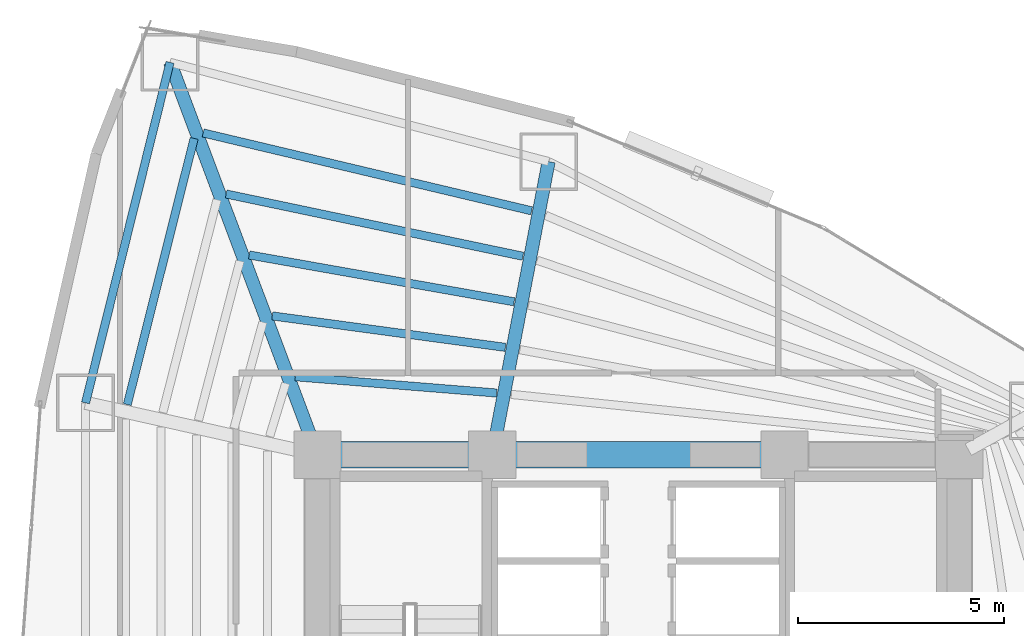
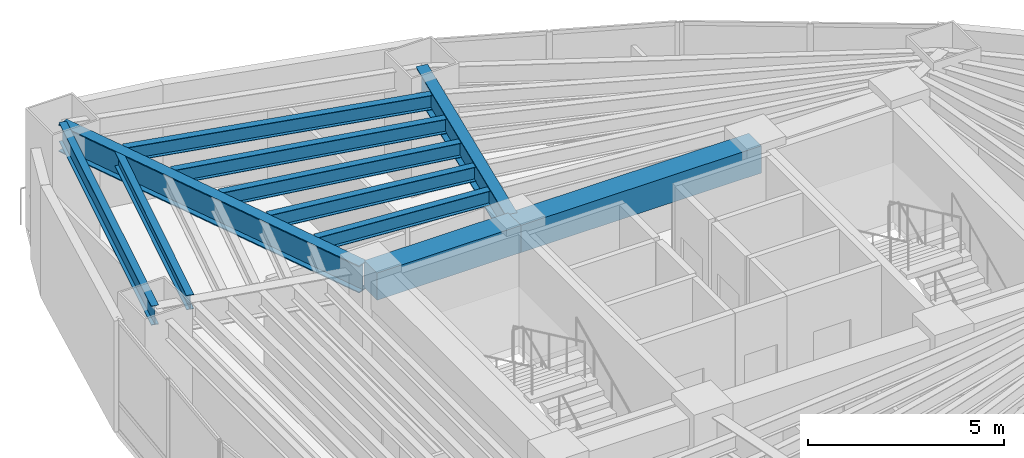
# One storey, part 8 of 17: 11 beams.
"""IFC4 building model written with IfcOpenShell, lengths in metres."""

from ifc_helpers import new_model, si_unit, direction, frame, origin, origin_2d, place, context, subcontext, project, spatial, rectangle, i_section, extrude, material, material_profile, profile_set, type_object, element, save


model = new_model("IFC4")

# Units and contexts
model_context = context("Model", 3, precision=1e-05, world=origin(), true_north=direction((0.0, 1.0)))
body_context = subcontext(model_context, "Body", "Model", "MODEL_VIEW")
ifc_project = project(units=[si_unit("LENGTHUNIT", "METRE"), si_unit("AREAUNIT", "SQUARE_METRE"), si_unit("VOLUMEUNIT", "CUBIC_METRE"), si_unit("PLANEANGLEUNIT", "RADIAN"), si_unit("MASSUNIT", "GRAM", prefix="KILO")], contexts=[model_context])

# Site, building, storey
site_placement = place(None, origin())
site = spatial("IfcSite", under=ifc_project, at=site_placement, CompositionType="ELEMENT")
building_placement = place(site_placement, origin())
building = spatial("IfcBuilding", under=site, at=building_placement, Name="Menara Vayukalpa", CompositionType="ELEMENT")
storey_placement = place(building_placement, frame((0.0, 0.0, 49.919921875)))
storey = spatial("IfcBuildingStorey", under=building, at=storey_placement, Name="L11", CompositionType="ELEMENT", Elevation=49.919921875)

# Beams
ifc_material_1 = material(Name="Concrete C60/75", Category="concrete")
ifc_material_profile_1 = material_profile(ifc_material_1, rectangle(XDim=0.64990234375, YDim=0.85009765625, at=origin_2d()), Name="RC 650x850")
ifc_profile_set_1 = profile_set([ifc_material_profile_1], Name="Concrete C60/75")
beam_type_1 = type_object("IfcBeamType", Name="BM-CB1", PredefinedType="BEAM", material=ifc_profile_set_1)
beam_1_placement = place(storey_placement, frame((17.800048828125, 26.800048828125, 3.045166015625), z_axis=(1.0, 0.0, 0.0), x_axis=(0.0, 1.0, 0.0)))
element("IfcBeam", 1, at=beam_1_placement, inside=storey, type_object=beam_type_1, Name="L11 Core Tie Beam CBR4", PredefinedType="BEAM", context=body_context, shape_type="SweptSolid", body=[
    extrude(rectangle(XDim=0.64990234375, YDim=0.85009765625, at=origin_2d()), origin(), (0.0, 0.0, 1.0), 4.25),
])
beam_2_placement = place(storey_placement, frame((22.050048828125, 26.800048828125, 3.045166015625), z_axis=(1.0, 0.0, 0.0), x_axis=(0.0, 1.0, 0.0)))
element("IfcBeam", 2, at=beam_2_placement, inside=storey, type_object=beam_type_1, Name="L11 Core Tie Beam CBR5", PredefinedType="BEAM", context=body_context, shape_type="SweptSolid", body=[
    extrude(rectangle(XDim=0.64990234375, YDim=0.85009765625, at=origin_2d()), origin(), (0.0, 0.0, 1.0), 7.099853515625),
])
ifc_material_2 = material(Name="Steel S355", Category="steel")
ifc_material_profile_2 = material_profile(ifc_material_2, i_section(OverallWidth=0.320068359375, OverallDepth=0.85009765625, WebThickness=0.01611328125, FlangeThickness=0.030029296875, at=origin_2d()), Name="WF 850x320x16x30")
ifc_profile_set_2 = profile_set([ifc_material_profile_2], Name="Steel S355")
beam_type_2 = type_object("IfcBeamType", Name="BM-PG2", PredefinedType="BEAM", material=ifc_profile_set_2)
beam_3_placement = place(storey_placement, frame((22.09716796875, 27.04541015625, 3.045166015625), z_axis=(0.188803432672, 0.982014899995, 0.0), x_axis=(-0.982014899995, 0.188803432672, 0.0)))
element("IfcBeam", 3, at=beam_3_placement, inside=storey, type_object=beam_type_2, Name="L11 Primary Radial Girder RG03", PredefinedType="BEAM", context=body_context, shape_type="SweptSolid", body=[
    extrude(i_section(OverallWidth=0.320068359375, OverallDepth=0.85009765625, WebThickness=0.01611328125, FlangeThickness=0.030029296875, at=origin_2d()), origin(), (0.0, 0.0, 1.0), 7.00341796875),
])
beam_4_placement = place(storey_placement, frame((17.712158203125, 27.033935546875, 3.045166015625), z_axis=(-0.351734656537, 0.93609974436, 0.0), x_axis=(-0.93609974436, -0.351734656537, 0.0)))
element("IfcBeam", 4, at=beam_4_placement, inside=storey, type_object=beam_type_2, Name="L11 Primary Radial Girder RG04", PredefinedType="BEAM", context=body_context, shape_type="SweptSolid", body=[
    extrude(i_section(OverallWidth=0.320068359375, OverallDepth=0.85009765625, WebThickness=0.01611328125, FlangeThickness=0.030029296875, at=origin_2d()), origin(), (0.0, 0.0, 1.0), 9.935302734375),
])
ifc_material_3 = material(Name="Steel S355", Category="steel")
ifc_material_profile_3 = material_profile(ifc_material_3, i_section(OverallWidth=0.199951171875, OverallDepth=0.449951171875, WebThickness=0.009033203125, FlangeThickness=0.013916015625, at=origin_2d()), Name="WF 450x200x9x14")
ifc_profile_set_3 = profile_set([ifc_material_profile_3], Name="Steel S355")
beam_type_3 = type_object("IfcBeamType", Name="BM-SJ1", PredefinedType="JOIST", material=ifc_profile_set_3)
beam_5_placement = place(storey_placement, frame((22.15576171875, 28.2978515625, 3.2451171875), z_axis=(-0.996745483939, 0.08061290373, 0.0), x_axis=(-0.08061290373, -0.996745483939, 0.0)))
element("IfcBeam", 5, at=beam_5_placement, inside=storey, type_object=beam_type_3, Name="L11 Secondary Floor Joist SJ03-1", PredefinedType="JOIST", context=body_context, shape_type="SweptSolid", body=[
    extrude(i_section(OverallWidth=0.199951171875, OverallDepth=0.449951171875, WebThickness=0.009033203125, FlangeThickness=0.013916015625, at=origin_2d()), origin(), (0.0, 0.0, 1.0), 4.9091796875),
])
beam_6_placement = place(storey_placement, frame((22.368408203125, 29.40771484375, 3.2451171875), z_axis=(-0.991021966654, 0.13369914588, 0.0), x_axis=(-0.13369914588, -0.991021966654, 0.0)))
element("IfcBeam", 6, at=beam_6_placement, inside=storey, type_object=beam_type_3, Name="L11 Secondary Floor Joist SJ03-2", PredefinedType="JOIST", context=body_context, shape_type="SweptSolid", body=[
    extrude(i_section(OverallWidth=0.199951171875, OverallDepth=0.449951171875, WebThickness=0.009033203125, FlangeThickness=0.013916015625, at=origin_2d()), origin(), (0.0, 0.0, 1.0), 5.71728515625),
])
beam_7_placement = place(storey_placement, frame((22.5810546875, 30.515380859375, 3.2451171875), z_axis=(-0.984753096925, 0.173957862993, 0.0), x_axis=(-0.173957862993, -0.984753096925, 0.0)))
element("IfcBeam", 7, at=beam_7_placement, inside=storey, type_object=beam_type_3, Name="L11 Secondary Floor Joist SJ03-3", PredefinedType="JOIST", context=body_context, shape_type="SweptSolid", body=[
    extrude(i_section(OverallWidth=0.199951171875, OverallDepth=0.449951171875, WebThickness=0.009033203125, FlangeThickness=0.013916015625, at=origin_2d()), origin(), (0.0, 0.0, 1.0), 6.53857421875),
])
beam_8_placement = place(storey_placement, frame((22.793701171875, 31.62158203125, 3.2451171875), z_axis=(-0.978676146728, 0.205409346977, 0.0), x_axis=(-0.205409346977, -0.978676146728, 0.0)))
element("IfcBeam", 8, at=beam_8_placement, inside=storey, type_object=beam_type_3, Name="L11 Secondary Floor Joist SJ03-4", PredefinedType="JOIST", context=body_context, shape_type="SweptSolid", body=[
    extrude(i_section(OverallWidth=0.199951171875, OverallDepth=0.449951171875, WebThickness=0.009033203125, FlangeThickness=0.013916015625, at=origin_2d()), origin(), (0.0, 0.0, 1.0), 7.369140625),
])
beam_9_placement = place(storey_placement, frame((23.00634765625, 32.726318359375, 3.2451171875), z_axis=(-0.97303971213, 0.23063763487, 0.0), x_axis=(-0.23063763487, -0.97303971213, 0.0)))
element("IfcBeam", 9, at=beam_9_placement, inside=storey, type_object=beam_type_3, Name="L11 Secondary Floor Joist SJ03-5", PredefinedType="JOIST", context=body_context, shape_type="SweptSolid", body=[
    extrude(i_section(OverallWidth=0.199951171875, OverallDepth=0.449951171875, WebThickness=0.009033203125, FlangeThickness=0.013916015625, at=origin_2d()), origin(), (0.0, 0.0, 1.0), 8.205810546875),
])
beam_10_placement = place(storey_placement, frame((14.802734375, 34.485595703125, 3.2451171875), z_axis=(-0.243517460774, -0.96989651319, 0.0), x_axis=(0.96989651319, -0.243517460774, 0.0)))
element("IfcBeam", 10, at=beam_10_placement, inside=storey, type_object=beam_type_3, Name="L11 Secondary Floor Joist SJ04-5", PredefinedType="JOIST", context=body_context, shape_type="SweptSolid", body=[
    extrude(i_section(OverallWidth=0.199951171875, OverallDepth=0.449951171875, WebThickness=0.009033203125, FlangeThickness=0.013916015625, at=origin_2d()), origin(), (0.0, 0.0, 1.0), 6.6689453125),
])
ifc_material_4 = material(Name="Steel S355", Category="steel")
ifc_material_profile_4 = material_profile(ifc_material_4, i_section(OverallWidth=0.199951171875, OverallDepth=0.60009765625, WebThickness=0.010986328125, FlangeThickness=0.01708984375, at=origin_2d()), Name="WF 600x200x11x17")
ifc_profile_set_4 = profile_set([ifc_material_profile_4], Name="Steel S355")
beam_type_4 = type_object("IfcBeamType", Name="BM-SP1", PredefinedType="SPANDREL", material=ifc_profile_set_4)
beam_11_placement = place(storey_placement, frame((14.217529296875, 36.33447265625, 3.170166015625), z_axis=(-0.240823860364, -0.970568837476, 0.0), x_axis=(0.970568837476, -0.240823860364, 0.0)))
element("IfcBeam", 11, at=beam_11_placement, inside=storey, type_object=beam_type_4, Name="L11 Perimeter Spandrel Beam SP04", PredefinedType="SPANDREL", context=body_context, shape_type="SweptSolid", body=[
    extrude(i_section(OverallWidth=0.199951171875, OverallDepth=0.60009765625, WebThickness=0.010986328125, FlangeThickness=0.01708984375, at=origin_2d()), origin(), (0.0, 0.0, 1.0), 8.52587890625),
])

save(model, "model.ifc")
